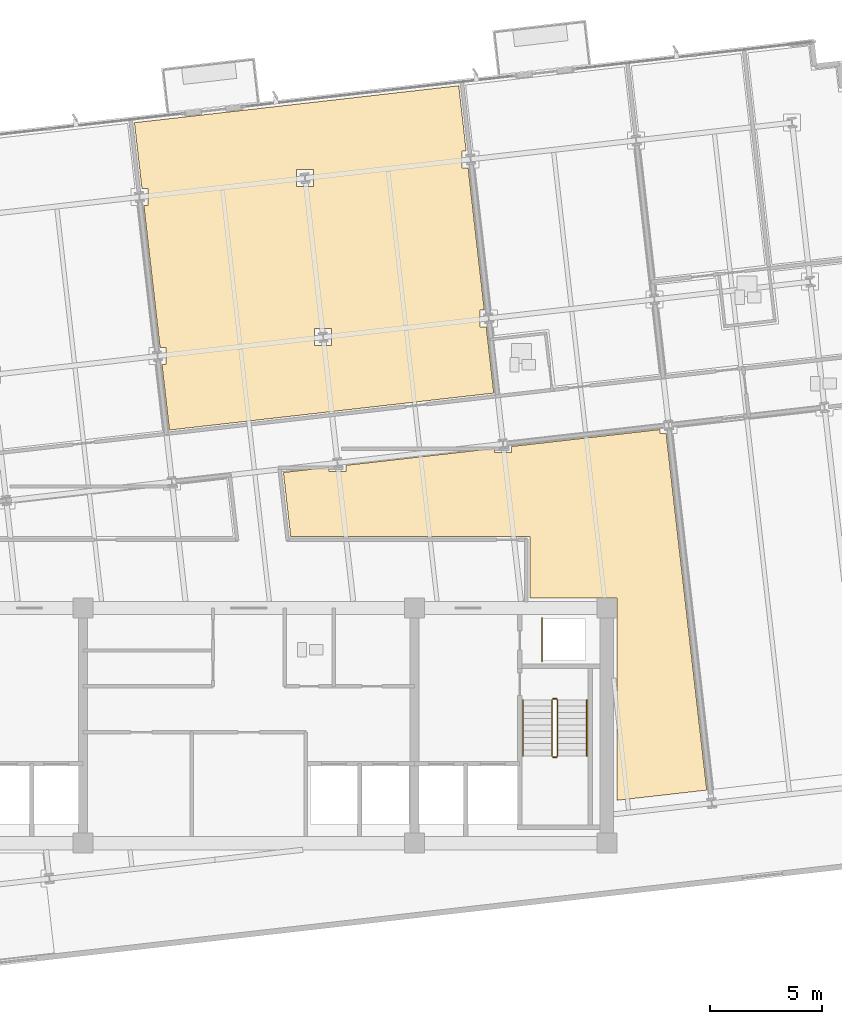
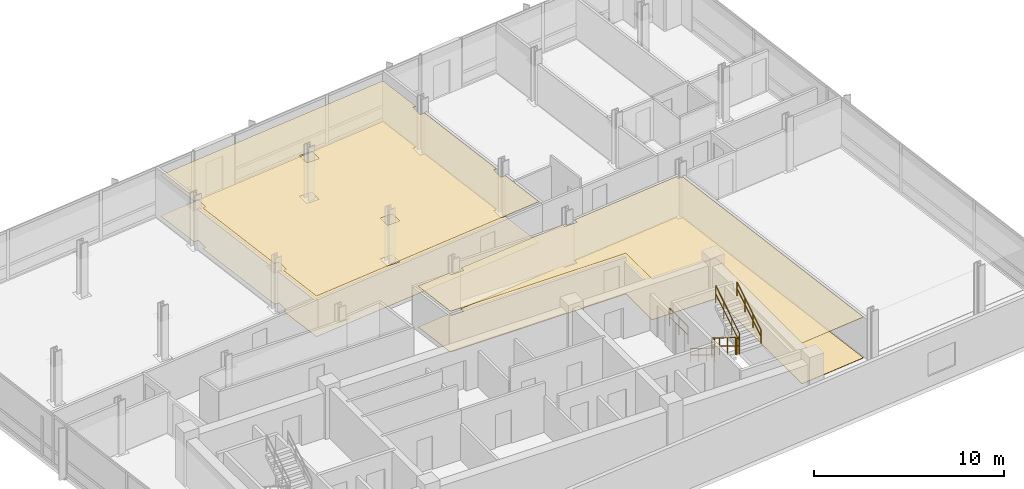
# One storey, part 13 of 16: 7 railings, 4 coverings.
"""IFC4 building model written with IfcOpenShell, lengths in metres."""

from ifc_helpers import new_model, si_unit, direction, frame, origin, origin_2d, place, context, subcontext, project, spatial, polyline, circle, outline, extrude, material, layer, layer_set, type_object, element, save


model = new_model("IFC4")

# Units and contexts
model_context = context("Model", 3, precision=1e-05, world=origin(), true_north=direction((0.0, 1.0)))
body_context = subcontext(model_context, "Body", "Model", "MODEL_VIEW")
ifc_project = project(units=[si_unit("LENGTHUNIT", "METRE"), si_unit("AREAUNIT", "SQUARE_METRE"), si_unit("VOLUMEUNIT", "CUBIC_METRE"), si_unit("PLANEANGLEUNIT", "RADIAN"), si_unit("MASSUNIT", "GRAM", prefix="KILO")], contexts=[model_context])

# Site, building, storey
site_placement = place(None, origin())
site = spatial("IfcSite", under=ifc_project, at=site_placement, CompositionType="ELEMENT")
building_placement = place(site_placement, origin())
building = spatial("IfcBuilding", under=site, at=building_placement, Name="Solmavex Isthmus Hotel", CompositionType="ELEMENT")
storey_placement = place(building_placement, frame((0.0, 0.0, 233.10009765625)))
storey = spatial("IfcBuildingStorey", under=building, at=storey_placement, Name="L63", CompositionType="ELEMENT", Elevation=233.10009765625)

# Coverings
ifc_material_1 = material(Name="Gypsum plasterboard lining", Category="gypsum")
ifc_layer_1 = layer(ifc_material_1, 0.030029296875)
ifc_layer_set_1 = layer_set([ifc_layer_1], Name="Gypsum plasterboard lining")
covering_type_1 = type_object("IfcCoveringType", Name="COV-CEIL-GYP", PredefinedType="CEILING", material=ifc_layer_set_1)
covering_1_placement = place(storey_placement, frame((0.0, 0.0, 2.619873046875)))
element("IfcCovering", 1, at=covering_1_placement, inside=storey, type_object=covering_type_1, Name="Suspended Acoustic Ceiling L63-RM02", PredefinedType="CEILING", context=body_context, shape_type="SweptSolid", body=[
    extrude(outline(polyline([(-3.962646484375, 9.13525390625), (-3.6953125, 9.13525390625), (-3.6953125, 8.375244140625), (-3.8759765625, 8.375244140625), (-3.542724609375, 5.451416015625), (10.945556640625, 7.10205078125), (10.6083984375, 10.06103515625), (10.341064453125, 10.06103515625), (10.341064453125, 10.821044921875), (10.521728515625, 10.821044921875), (9.798583984375, 17.167236328125), (9.531494140625, 17.167236328125), (9.531494140625, 17.92724609375), (9.712158203125, 17.92724609375), (9.381103515625, 20.833251953125), (-5.107177734375, 19.182373046875), (-4.772216796875, 16.2412109375), (-4.5048828125, 16.2412109375), (-4.5048828125, 15.481201171875), (-4.685546875, 15.481201171875), (-3.962646484375, 9.13525390625)]), holes=[polyline([(2.94287109375, 9.21826171875), (2.94287109375, 9.978271484375), (3.702880859375, 9.978271484375), (3.702880859375, 9.21826171875), (2.94287109375, 9.21826171875)]), polyline([(2.13330078125, 16.32421875), (2.13330078125, 17.084228515625), (2.893310546875, 17.084228515625), (2.893310546875, 16.32421875), (2.13330078125, 16.32421875)])]), origin(), (0.0, 0.0, 1.0), 0.030029296875),
])
covering_2_placement = place(storey_placement, frame((0.0, 0.0, 2.619873046875)))
element("IfcCovering", 2, at=covering_2_placement, inside=storey, type_object=covering_type_1, Name="Suspended Acoustic Ceiling L63-FL10", PredefinedType="CEILING", context=body_context, shape_type="SweptSolid", body=[
    extrude(outline(polyline([(4.34228515625, 3.873779296875), (4.34228515625, 3.6064453125), (3.582275390625, 3.6064453125), (3.582275390625, 3.787109375), (1.547607421875, 3.555419921875), (1.872314453125, 0.705078125), (12.554931640625, 0.705078125), (12.554931640625, -2.044921875), (16.455078125, -2.044921875), (16.455078125, -11.09130859375), (20.46044921875, -10.634765625), (18.645751953125, 5.292236328125), (18.378662109375, 5.292236328125), (18.378662109375, 5.472900390625), (11.740478515625, 4.716796875), (11.740478515625, 4.449462890625), (10.98046875, 4.449462890625), (10.98046875, 4.630126953125), (4.34228515625, 3.873779296875)])), origin(), (0.0, 0.0, 1.0), 0.030029296875),
])
ifc_material_2 = material(Name="Travertine natural stone", Category="masonry")
ifc_layer_2 = layer(ifc_material_2, 0.02490234375)
ifc_layer_set_2 = layer_set([ifc_layer_2], Name="Travertine natural stone")
covering_type_2 = type_object("IfcCoveringType", Name="COV-FLOR-STN", PredefinedType="FLOORING", material=ifc_layer_set_2)
covering_3_placement = place(storey_placement, origin())
element("IfcCovering", 3, at=covering_3_placement, inside=storey, type_object=covering_type_2, Name="Stone and Timber Floor Finish L63-RM02", PredefinedType="FLOORING", context=body_context, shape_type="SweptSolid", body=[
    extrude(outline(polyline([(-3.962646484375, 9.13525390625), (-3.6953125, 9.13525390625), (-3.6953125, 8.375244140625), (-3.8759765625, 8.375244140625), (-3.542724609375, 5.451416015625), (10.945556640625, 7.10205078125), (10.6083984375, 10.06103515625), (10.341064453125, 10.06103515625), (10.341064453125, 10.821044921875), (10.521728515625, 10.821044921875), (9.798583984375, 17.167236328125), (9.531494140625, 17.167236328125), (9.531494140625, 17.92724609375), (9.712158203125, 17.92724609375), (9.381103515625, 20.833251953125), (-5.107177734375, 19.182373046875), (-4.772216796875, 16.2412109375), (-4.5048828125, 16.2412109375), (-4.5048828125, 15.481201171875), (-4.685546875, 15.481201171875), (-3.962646484375, 9.13525390625)]), holes=[polyline([(2.94287109375, 9.21826171875), (2.94287109375, 9.978271484375), (3.702880859375, 9.978271484375), (3.702880859375, 9.21826171875), (2.94287109375, 9.21826171875)]), polyline([(2.13330078125, 16.32421875), (2.13330078125, 17.084228515625), (2.893310546875, 17.084228515625), (2.893310546875, 16.32421875), (2.13330078125, 16.32421875)])]), origin(), (0.0, 0.0, 1.0), 0.02490234375),
])
covering_4_placement = place(storey_placement, origin())
element("IfcCovering", 4, at=covering_4_placement, inside=storey, type_object=covering_type_2, Name="Stone and Timber Floor Finish L63-FL10", PredefinedType="FLOORING", context=body_context, shape_type="SweptSolid", body=[
    extrude(outline(polyline([(4.34228515625, 3.873779296875), (4.34228515625, 3.6064453125), (3.582275390625, 3.6064453125), (3.582275390625, 3.787109375), (1.547607421875, 3.555419921875), (1.872314453125, 0.705078125), (12.554931640625, 0.705078125), (12.554931640625, -2.044921875), (16.455078125, -2.044921875), (16.455078125, -11.09130859375), (20.46044921875, -10.634765625), (18.645751953125, 5.292236328125), (18.378662109375, 5.292236328125), (18.378662109375, 5.472900390625), (11.740478515625, 4.716796875), (11.740478515625, 4.449462890625), (10.98046875, 4.449462890625), (10.98046875, 4.630126953125), (4.34228515625, 3.873779296875)])), origin(), (0.0, 0.0, 1.0), 0.02490234375),
])

# Railings
ifc_material_3 = material(Name="Clear low-E laminated glass", Category="glass")
ifc_layer_3 = layer(ifc_material_3, 0.080078125)
ifc_layer_set_3 = layer_set([ifc_layer_3], Name="Clear low-E laminated glass")
railing_type_1 = type_object("IfcRailingType", Name="RAIL-ATRIUM-1120", PredefinedType="BALUSTRADE", material=ifc_layer_set_3)
railing_1_placement = place(storey_placement, frame((13.10009765625, -4.89990234375, 0.0)))
element("IfcRailing", 5, at=railing_1_placement, inside=storey, type_object=railing_type_1, Name="Guardrail Balustrade L63-RSE-01", PredefinedType="BALUSTRADE", context=body_context, shape_type="SweptSolid", body=[
    extrude(circle(Radius=0.02392578125, at=origin_2d()), frame((0.0, 0.0, 1.1259765625), z_axis=(0.0, 1.0, 0.0), x_axis=(-1.0, 0.0, 0.0)), (0.0, 0.0, 1.0), 1.949951171875),
    extrude(circle(Radius=0.02392578125, at=origin_2d()), frame((0.0, 0.0, 0.574951171875), z_axis=(0.0, 1.0, 0.0), x_axis=(-1.0, 0.0, 0.0)), (0.0, 0.0, 1.0), 1.949951171875),
    extrude(circle(Radius=0.02099609375, at=origin_2d()), origin(), (0.0, 0.0, 1.0), 1.101806640625),
    extrude(circle(Radius=0.02099609375, at=origin_2d()), frame((0.0, 0.97509765625, 0.0)), (0.0, 0.0, 1.0), 1.101806640625),
    extrude(circle(Radius=0.02099609375, at=origin_2d()), frame((0.0, 1.949951171875, 0.0)), (0.0, 0.0, 1.0), 1.101806640625),
])
ifc_material_4 = material(Name="Stainless steel 316", Category="steel")
ifc_layer_4 = layer(ifc_material_4, 0.06005859375)
ifc_layer_set_4 = layer_set([ifc_layer_4], Name="Stainless steel 316")
railing_type_2 = type_object("IfcRailingType", Name="RAIL-STAIR-GD", PredefinedType="GUARDRAIL", material=ifc_layer_set_4)
railing_2_placement = place(storey_placement, frame((13.550048828125, -6.60009765625, 0.17236328125)))
element("IfcRailing", 6, at=railing_2_placement, inside=storey, type_object=railing_type_2, Name="L63 ST-2 stair guard 1", PredefinedType="GUARDRAIL", context=body_context, shape_type="SweptSolid", body=[
    extrude(circle(Radius=0.02392578125, at=origin_2d()), frame((0.0, 0.0, 1.09619140625), z_axis=(0.0, -0.851400495292, 0.524516154772), x_axis=(1.0, 0.0, 0.0)), (0.0, 0.0, 1.0), 2.9599609375),
    extrude(circle(Radius=0.02392578125, at=origin_2d()), frame((0.0, 0.0, 0.56005859375), z_axis=(0.0, -0.851400495292, 0.524516154772), x_axis=(1.0, 0.0, 0.0)), (0.0, 0.0, 1.0), 2.9599609375),
    extrude(circle(Radius=0.02099609375, at=origin_2d()), origin(), (0.0, 0.0, 1.0), 1.072021484375),
    extrude(circle(Radius=0.02099609375, at=origin_2d()), frame((0.0, -0.840087890625, 0.517578125)), (0.0, 0.0, 1.0), 1.072021484375),
    extrude(circle(Radius=0.02099609375, at=origin_2d()), frame((0.0, -1.679931640625, 1.034912109375)), (0.0, 0.0, 1.0), 1.072021484375),
    extrude(circle(Radius=0.02099609375, at=origin_2d()), frame((0.0, -2.52001953125, 1.552490234375)), (0.0, 0.0, 1.0), 1.072021484375),
])
railing_3_placement = place(storey_placement, frame((13.60009765625, -9.169921875, 1.724853515625)))
element("IfcRailing", 7, at=railing_3_placement, inside=storey, type_object=railing_type_2, Name="L63 ST-2 stair guard 2", PredefinedType="GUARDRAIL", context=body_context, shape_type="SweptSolid", body=[
    extrude(circle(Radius=0.02392578125, at=origin_2d()), frame((0.0, 0.0, 1.09619140625), z_axis=(1.0, 0.0, 0.0), x_axis=(0.0, 1.0, 0.0)), (0.0, 0.0, 1.0), 0.14990234375),
    extrude(circle(Radius=0.02392578125, at=origin_2d()), frame((0.0, 0.0, 0.56005859375), z_axis=(1.0, 0.0, 0.0), x_axis=(0.0, 1.0, 0.0)), (0.0, 0.0, 1.0), 0.14990234375),
    extrude(circle(Radius=0.02099609375, at=origin_2d()), origin(), (0.0, 0.0, 1.0), 1.072021484375),
    extrude(circle(Radius=0.02099609375, at=origin_2d()), frame((0.14990234375, 0.0, 0.0)), (0.0, 0.0, 1.0), 1.072021484375),
])
railing_4_placement = place(storey_placement, frame((13.800048828125, -9.1201171875, 1.8974609375)))
element("IfcRailing", 8, at=railing_4_placement, inside=storey, type_object=railing_type_2, Name="L63 ST-2 stair guard 3", PredefinedType="GUARDRAIL", context=body_context, shape_type="SweptSolid", body=[
    extrude(circle(Radius=0.02392578125, at=origin_2d()), frame((0.0, 0.0, 1.09619140625), z_axis=(0.0, 0.851400495292, 0.524516154772), x_axis=(-1.0, 0.0, 0.0)), (0.0, 0.0, 1.0), 2.9599609375),
    extrude(circle(Radius=0.02392578125, at=origin_2d()), frame((0.0, 0.0, 0.56005859375), z_axis=(0.0, 0.851400495292, 0.524516154772), x_axis=(-1.0, 0.0, 0.0)), (0.0, 0.0, 1.0), 2.9599609375),
    extrude(circle(Radius=0.02099609375, at=origin_2d()), origin(), (0.0, 0.0, 1.0), 1.072021484375),
    extrude(circle(Radius=0.02099609375, at=origin_2d()), frame((0.0, 0.840087890625, 0.517578125)), (0.0, 0.0, 1.0), 1.072021484375),
    extrude(circle(Radius=0.02099609375, at=origin_2d()), frame((0.0, 1.679931640625, 1.034912109375)), (0.0, 0.0, 1.0), 1.072021484375),
    extrude(circle(Radius=0.02099609375, at=origin_2d()), frame((0.0, 2.52001953125, 1.552490234375)), (0.0, 0.0, 1.0), 1.072021484375),
])
railing_5_placement = place(storey_placement, frame((13.60009765625, -6.550048828125, 0.0)))
element("IfcRailing", 9, at=railing_5_placement, inside=storey, type_object=railing_type_2, Name="L63 ST-2 stair guard 4", PredefinedType="GUARDRAIL", context=body_context, shape_type="SweptSolid", body=[
    extrude(circle(Radius=0.02392578125, at=origin_2d()), frame((0.0, 0.0, 1.09619140625), z_axis=(1.0, 0.0, 0.0), x_axis=(0.0, 1.0, 0.0)), (0.0, 0.0, 1.0), 0.14990234375),
    extrude(circle(Radius=0.02392578125, at=origin_2d()), frame((0.0, 0.0, 0.56005859375), z_axis=(1.0, 0.0, 0.0), x_axis=(0.0, 1.0, 0.0)), (0.0, 0.0, 1.0), 0.14990234375),
    extrude(circle(Radius=0.02099609375, at=origin_2d()), origin(), (0.0, 0.0, 1.0), 1.072021484375),
    extrude(circle(Radius=0.02099609375, at=origin_2d()), frame((0.14990234375, 0.0, 0.0)), (0.0, 0.0, 1.0), 1.072021484375),
])
ifc_layer_5 = layer(ifc_material_4, 0.050048828125)
ifc_layer_set_5 = layer_set([ifc_layer_5], Name="Stainless steel 316")
railing_type_3 = type_object("IfcRailingType", Name="RAIL-STAIR-HR", PredefinedType="HANDRAIL", material=ifc_layer_set_5)
railing_6_placement = place(storey_placement, frame((12.25, -6.60009765625, 0.17236328125)))
element("IfcRailing", 10, at=railing_6_placement, inside=storey, type_object=railing_type_3, Name="L63 ST-2 stair handrail 1", PredefinedType="HANDRAIL", context=body_context, shape_type="SweptSolid", body=[
    extrude(circle(Radius=0.02392578125, at=origin_2d()), frame((0.0, 0.0, 0.8759765625), z_axis=(0.0, -0.851400495292, 0.524516154772), x_axis=(1.0, 0.0, 0.0)), (0.0, 0.0, 1.0), 2.9599609375),
    extrude(circle(Radius=0.02392578125, at=origin_2d()), frame((0.0, 0.0, 0.449951171875), z_axis=(0.0, -0.851400495292, 0.524516154772), x_axis=(1.0, 0.0, 0.0)), (0.0, 0.0, 1.0), 2.9599609375),
    extrude(circle(Radius=0.02099609375, at=origin_2d()), origin(), (0.0, 0.0, 1.0), 0.851806640625),
    extrude(circle(Radius=0.02099609375, at=origin_2d()), frame((0.0, -0.840087890625, 0.517578125)), (0.0, 0.0, 1.0), 0.851806640625),
    extrude(circle(Radius=0.02099609375, at=origin_2d()), frame((0.0, -1.679931640625, 1.034912109375)), (0.0, 0.0, 1.0), 0.851806640625),
    extrude(circle(Radius=0.02099609375, at=origin_2d()), frame((0.0, -2.52001953125, 1.552490234375)), (0.0, 0.0, 1.0), 0.851806640625),
])
railing_7_placement = place(storey_placement, frame((15.10009765625, -9.1201171875, 1.8974609375)))
element("IfcRailing", 11, at=railing_7_placement, inside=storey, type_object=railing_type_3, Name="L63 ST-2 stair handrail 2", PredefinedType="HANDRAIL", context=body_context, shape_type="SweptSolid", body=[
    extrude(circle(Radius=0.02392578125, at=origin_2d()), frame((0.0, 0.0, 0.8759765625), z_axis=(0.0, 0.851400495292, 0.524516154772), x_axis=(-1.0, 0.0, 0.0)), (0.0, 0.0, 1.0), 2.9599609375),
    extrude(circle(Radius=0.02392578125, at=origin_2d()), frame((0.0, 0.0, 0.449951171875), z_axis=(0.0, 0.851400495292, 0.524516154772), x_axis=(-1.0, 0.0, 0.0)), (0.0, 0.0, 1.0), 2.9599609375),
    extrude(circle(Radius=0.02099609375, at=origin_2d()), origin(), (0.0, 0.0, 1.0), 0.851806640625),
    extrude(circle(Radius=0.02099609375, at=origin_2d()), frame((0.0, 0.840087890625, 0.517578125)), (0.0, 0.0, 1.0), 0.851806640625),
    extrude(circle(Radius=0.02099609375, at=origin_2d()), frame((0.0, 1.679931640625, 1.034912109375)), (0.0, 0.0, 1.0), 0.851806640625),
    extrude(circle(Radius=0.02099609375, at=origin_2d()), frame((0.0, 2.52001953125, 1.552490234375)), (0.0, 0.0, 1.0), 0.851806640625),
])

save(model, "model.ifc")
